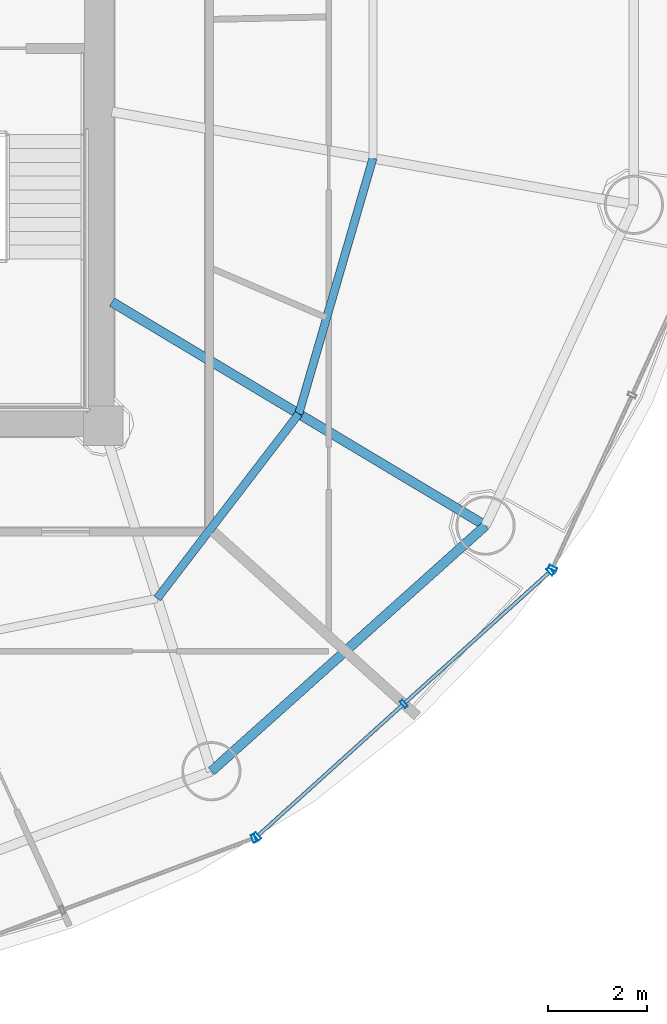
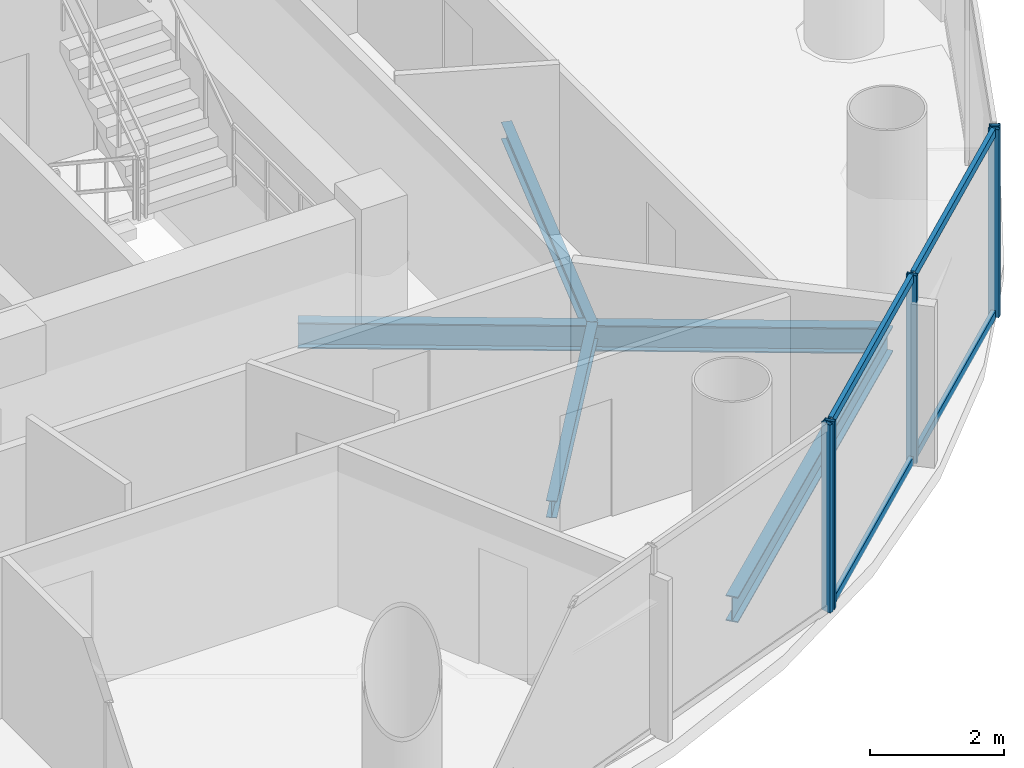
# One storey, part 10 of 26: 9 members, 4 beams, 3 elements without a shape of their own.
"""IFC4 building model written with IfcOpenShell, lengths in metres."""

from ifc_helpers import new_model, si_unit, direction, frame, origin, origin_2d, place, context, subcontext, project, spatial, hollow_rectangle, i_section, extrude, source, transform, mapped, material, material_profile, profile_set, type_object, element, aggregate, save


model = new_model("IFC4")

# Units and contexts
model_context = context("Model", 3, precision=1e-05, world=origin(), true_north=direction((-0.2419218956, 0.970295726276)))
body_context = subcontext(model_context, "Body", "Model", "MODEL_VIEW")
ifc_project = project(units=[si_unit("LENGTHUNIT", "METRE"), si_unit("AREAUNIT", "SQUARE_METRE"), si_unit("VOLUMEUNIT", "CUBIC_METRE"), si_unit("PLANEANGLEUNIT", "RADIAN"), si_unit("MASSUNIT", "GRAM", prefix="KILO")], contexts=[model_context])

# Site, building, storey
site_placement = place(None, origin())
site = spatial("IfcSite", under=ifc_project, at=site_placement, CompositionType="ELEMENT")
building_placement = place(site_placement, origin())
building = spatial("IfcBuilding", under=site, at=building_placement, Name="Cobrevalo Terracotta Tower", CompositionType="ELEMENT")
storey_placement = place(building_placement, frame((0.0, 0.0, 209.699951171875)))
storey = spatial("IfcBuildingStorey", under=building, at=storey_placement, Name="L55", CompositionType="ELEMENT", Elevation=209.699951171875)

# Beams
ifc_material_1 = material(Name="Steel S355", Category="steel")
ifc_material_profile_1 = material_profile(ifc_material_1, i_section(OverallWidth=0.194091796875, OverallDepth=0.468994140625, WebThickness=0.011474609375, FlangeThickness=0.0205078125, at=origin_2d()), Name="W 460x106")
ifc_profile_set_1 = profile_set([ifc_material_profile_1], Name="Steel S355")
beam_type_1 = type_object("IfcBeamType", Name="Structural Beam W 460x106 (Steel S355)", PredefinedType="BEAM", material=ifc_profile_set_1)
beam_1_placement = place(storey_placement, frame((54.754150390625, 16.77197265625, -0.49951171875), z_axis=(-0.858046392192, 0.513572184651, 0.0), x_axis=(-0.513572184651, -0.858046392192, 0.0)))
element("IfcBeam", 1, at=beam_1_placement, inside=storey, type_object=beam_type_1, Name="L55 radial floor girder 15", PredefinedType="BEAM", context=body_context, shape_type="SweptSolid", body=[
    extrude(i_section(OverallWidth=0.194091796875, OverallDepth=0.468994140625, WebThickness=0.011474609375, FlangeThickness=0.0205078125, at=origin_2d()), origin(), (0.0, 0.0, 1.0), 8.827392578125),
])
ifc_material_profile_2 = material_profile(ifc_material_1, i_section(OverallWidth=0.1650390625, OverallDepth=0.31005859375, WebThickness=0.005859375, FlangeThickness=0.009765625, at=origin_2d()), Name="W 310x38.7")
ifc_profile_set_2 = profile_set([ifc_material_profile_2], Name="Steel S355")
beam_type_2 = type_object("IfcBeamType", Name="Structural Joist W 310x38.7 (Steel S355)", PredefinedType="JOIST", material=ifc_profile_set_2)
beam_2_placement = place(storey_placement, frame((48.097412109375, 15.2958984375, -0.419921875), z_axis=(0.608464146296, 0.793581364872, 0.0), x_axis=(-0.793581364872, 0.608464146296, 0.0)))
element("IfcBeam", 2, at=beam_2_placement, inside=storey, type_object=beam_type_2, Name="L55 circumferential secondary floor joist 14", PredefinedType="JOIST", context=body_context, shape_type="SweptSolid", body=[
    extrude(i_section(OverallWidth=0.1650390625, OverallDepth=0.31005859375, WebThickness=0.005859375, FlangeThickness=0.009765625, at=origin_2d()), origin(), (0.0, 0.0, 1.0), 4.716064453125),
])
beam_3_placement = place(storey_placement, frame((50.967041015625, 19.03857421875, -0.419921875), z_axis=(0.278757705995, 0.960361463902, 0.0), x_axis=(-0.960361463902, 0.278757705995, 0.0)))
element("IfcBeam", 3, at=beam_3_placement, inside=storey, type_object=beam_type_2, Name="L55 circumferential secondary floor joist 15", PredefinedType="JOIST", context=body_context, shape_type="SweptSolid", body=[
    extrude(i_section(OverallWidth=0.1650390625, OverallDepth=0.31005859375, WebThickness=0.005859375, FlangeThickness=0.009765625, at=origin_2d()), origin(), (0.0, 0.0, 1.0), 5.396728515625),
])
ifc_material_profile_3 = material_profile(ifc_material_1, i_section(OverallWidth=0.194091796875, OverallDepth=0.468994140625, WebThickness=0.011474609375, FlangeThickness=0.0205078125, at=origin_2d()), Name="W 460x106")
ifc_profile_set_3 = profile_set([ifc_material_profile_3], Name="Steel S355")
beam_type_3 = type_object("IfcBeamType", Name="Structural Spandrel W 460x106 (Steel S355)", PredefinedType="SPANDREL", material=ifc_profile_set_3)
beam_4_placement = place(storey_placement, frame((49.19482421875, 11.7919921875, -0.49951171875), z_axis=(0.744851930997, 0.667229796165, 0.0), x_axis=(-0.667229796165, 0.744851930997, 0.0)))
element("IfcBeam", 4, at=beam_4_placement, inside=storey, type_object=beam_type_3, Name="L55 perimeter ring spandrel 14", PredefinedType="SPANDREL", context=body_context, shape_type="SweptSolid", body=[
    extrude(i_section(OverallWidth=0.194091796875, OverallDepth=0.468994140625, WebThickness=0.011474609375, FlangeThickness=0.0205078125, at=origin_2d()), origin(), (0.0, 0.0, 1.0), 7.463623046875),
])

# Curtain wall, members
ifc_material_2 = material(Name="Anodized aluminium", Category="aluminium")
curtain_wall_type = type_object("IfcCurtainWallType", Name="Mid-tower high-wind unitised curtain wall CW-U2", PredefinedType="NOTDEFINED", material=ifc_material_2)
curtain_wall_1_placement = place(storey_placement, origin())
curtain_wall_1 = element("IfcCurtainWall", 5, at=curtain_wall_1_placement, inside=storey, type_object=curtain_wall_type, Name="L55 curtain wall CW-L55-S14", PredefinedType="NOTDEFINED")
ifc_material_profile_4 = material_profile(ifc_material_2, hollow_rectangle(XDim=0.074951171875, YDim=0.14990234375, WallThickness=0.00439453125, at=origin_2d()), Name="CWT 75x150")
ifc_profile_set_4 = profile_set([ifc_material_profile_4], Name="Anodized aluminium")
member_type_1 = type_object("IfcMemberType", Name="Tower unitised aluminium transom 75x150", PredefinedType="USERDEFINED", material=ifc_profile_set_4)
shared_shape_1 = source(origin(), body_context, "Body", "SweptSolid", [
    extrude(hollow_rectangle(XDim=0.074951171875, YDim=0.14990234375, WallThickness=0.00439453125, at=origin_2d()), origin(), (0.0, 0.0, 1.0), 3.927490234375),
])
member_1_placement = place(storey_placement, frame((53.127685546875, 13.185302734375, 0.050048828125), z_axis=(0.741975952623, 0.670426495396, 0.0), x_axis=(-0.670426495396, 0.741975952623, 0.0)))
member_1 = element("IfcMember", 6, at=member_1_placement, type_object=member_type_1, Name="CW-L55-S14 transom B02-T1", ObjectType="TRANSOM", PredefinedType="USERDEFINED", context=body_context, shape_type="MappedRepresentation", body=[
    mapped(shared_shape_1, transform((0.0, 0.0, 0.0), scale=1.0)),
])
member_2_placement = place(storey_placement, frame((53.127685546875, 13.185302734375, 3.385009765625), z_axis=(0.741975952623, 0.670426495396, 0.0), x_axis=(-0.670426495396, 0.741975952623, 0.0)))
member_2 = element("IfcMember", 7, at=member_2_placement, type_object=member_type_1, Name="CW-L55-S14 transom B02-T2", ObjectType="TRANSOM", PredefinedType="USERDEFINED", context=body_context, shape_type="MappedRepresentation", body=[
    mapped(shared_shape_1, transform((0.0, 0.0, 0.0), scale=1.0)),
])
shared_shape_2 = source(origin(), body_context, "Body", "SweptSolid", [
    extrude(hollow_rectangle(XDim=0.074951171875, YDim=0.14990234375, WallThickness=0.00439453125, at=origin_2d()), origin(), (0.0, 0.0, 1.0), 3.927734375),
])
member_3_placement = place(storey_placement, frame((50.154052734375, 10.49853515625, 0.050048828125), z_axis=(0.742003891138, 0.670395573923, 0.0), x_axis=(-0.670395573923, 0.742003891138, 0.0)))
member_3 = element("IfcMember", 8, at=member_3_placement, type_object=member_type_1, Name="CW-L55-S14 transom B01-T1", ObjectType="TRANSOM", PredefinedType="USERDEFINED", context=body_context, shape_type="MappedRepresentation", body=[
    mapped(shared_shape_2, transform((0.0, 0.0, 0.0), scale=1.0)),
])
member_4_placement = place(storey_placement, frame((50.154052734375, 10.49853515625, 3.385009765625), z_axis=(0.742003891138, 0.670395573923, 0.0), x_axis=(-0.670395573923, 0.742003891138, 0.0)))
member_4 = element("IfcMember", 9, at=member_4_placement, type_object=member_type_1, Name="CW-L55-S14 transom B01-T2", ObjectType="TRANSOM", PredefinedType="USERDEFINED", context=body_context, shape_type="MappedRepresentation", body=[
    mapped(shared_shape_2, transform((0.0, 0.0, 0.0), scale=1.0)),
])

# Curtain wall, member
curtain_wall_2_placement = place(storey_placement, origin())
curtain_wall_2 = element("IfcCurtainWall", 10, at=curtain_wall_2_placement, inside=storey, type_object=curtain_wall_type, Name="L55 curtain wall CW-L55-S13", PredefinedType="NOTDEFINED")
ifc_material_profile_5 = material_profile(ifc_material_2, hollow_rectangle(XDim=0.070068359375, YDim=0.169921875, WallThickness=0.00439453125, at=origin_2d()), Name="CWM 70x170")
ifc_profile_set_5 = profile_set([ifc_material_profile_5], Name="Anodized aluminium")
member_type_2 = type_object("IfcMemberType", Name="Upper tower unitised mullion 70x170", PredefinedType="MULLION", material=ifc_profile_set_5)
shared_shape_3 = source(origin(), body_context, "Body", "SweptSolid", [
    extrude(hollow_rectangle(XDim=0.070068359375, YDim=0.169921875, WallThickness=0.00439453125, at=origin_2d()), origin(), (0.0, 0.0, 1.0), 3.43505859375),
])
member_5_placement = place(storey_placement, frame((50.057373046875, 10.430908203125, 0.0), z_axis=(0.0, 0.0, 1.0), x_axis=(0.936556004584, 0.350517974259, 0.0)))
member_5 = element("IfcMember", 11, at=member_5_placement, type_object=member_type_2, Name="CW-L55-S13 vertical mullion 03", PredefinedType="MULLION", context=body_context, shape_type="MappedRepresentation", body=[
    mapped(shared_shape_3, transform((0.0, 0.0, 0.0), scale=1.0)),
])
aggregate(curtain_wall_2, [member_5])

# Member
member_6_placement = place(storey_placement, frame((50.12451171875, 10.471923828125, 0.0), z_axis=(0.0, 0.0, 1.0), x_axis=(0.741987542015, 0.670413668935, 0.0)))
member_6 = element("IfcMember", 12, at=member_6_placement, type_object=member_type_2, Name="CW-L55-S14 vertical mullion 01", PredefinedType="MULLION", context=body_context, shape_type="MappedRepresentation", body=[
    mapped(shared_shape_3, transform((0.0, 0.0, 0.0), scale=1.0)),
])

member_7_placement = place(storey_placement, frame((53.097900390625, 13.158447265625, 0.0), z_axis=(0.0, 0.0, 1.0), x_axis=(0.741987542015, 0.670413668935, 0.0)))
member_7 = element("IfcMember", 13, at=member_7_placement, type_object=member_type_2, Name="CW-L55-S14 vertical mullion 02", PredefinedType="MULLION", context=body_context, shape_type="MappedRepresentation", body=[
    mapped(shared_shape_3, transform((0.0, 0.0, 0.0), scale=1.0)),
])

member_8_placement = place(storey_placement, frame((56.071533203125, 15.84521484375, 0.0), z_axis=(0.0, 0.0, 1.0), x_axis=(0.741987542015, 0.670413668935, 0.0)))
member_8 = element("IfcMember", 14, at=member_8_placement, type_object=member_type_2, Name="CW-L55-S14 vertical mullion 03", PredefinedType="MULLION", context=body_context, shape_type="MappedRepresentation", body=[
    mapped(shared_shape_3, transform((0.0, 0.0, 0.0), scale=1.0)),
])

aggregate(curtain_wall_1, [member_6, member_7, member_8, member_3, member_4, member_1, member_2])

# Curtain wall, member
curtain_wall_3_placement = place(storey_placement, origin())
curtain_wall_3 = element("IfcCurtainWall", 15, at=curtain_wall_3_placement, inside=storey, type_object=curtain_wall_type, Name="L55 curtain wall CW-L55-S15", PredefinedType="NOTDEFINED")
member_9_placement = place(storey_placement, frame((56.11767578125, 15.908203125, 0.0), z_axis=(0.0, 0.0, 1.0), x_axis=(0.41672507912, 0.909032567311, 0.0)))
member_9 = element("IfcMember", 16, at=member_9_placement, type_object=member_type_2, Name="CW-L55-S15 vertical mullion 01", PredefinedType="MULLION", context=body_context, shape_type="MappedRepresentation", body=[
    mapped(shared_shape_3, transform((0.0, 0.0, 0.0), scale=1.0)),
])
aggregate(curtain_wall_3, [member_9])

save(model, "model.ifc")
